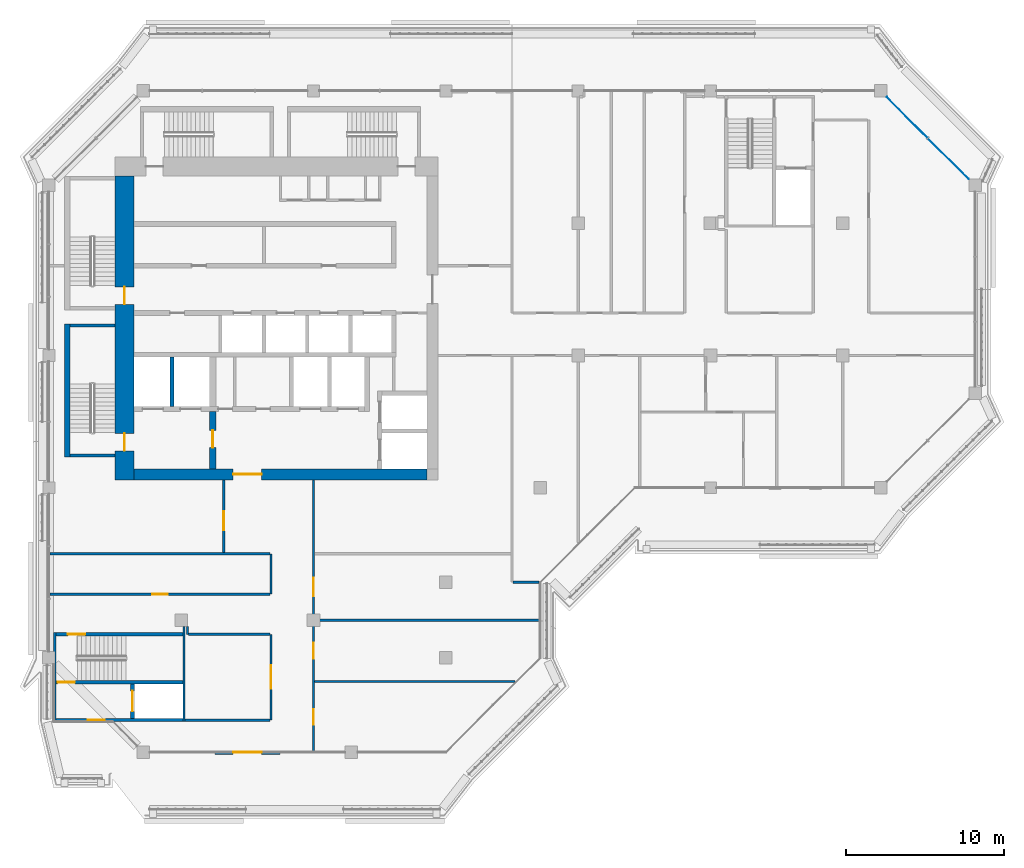
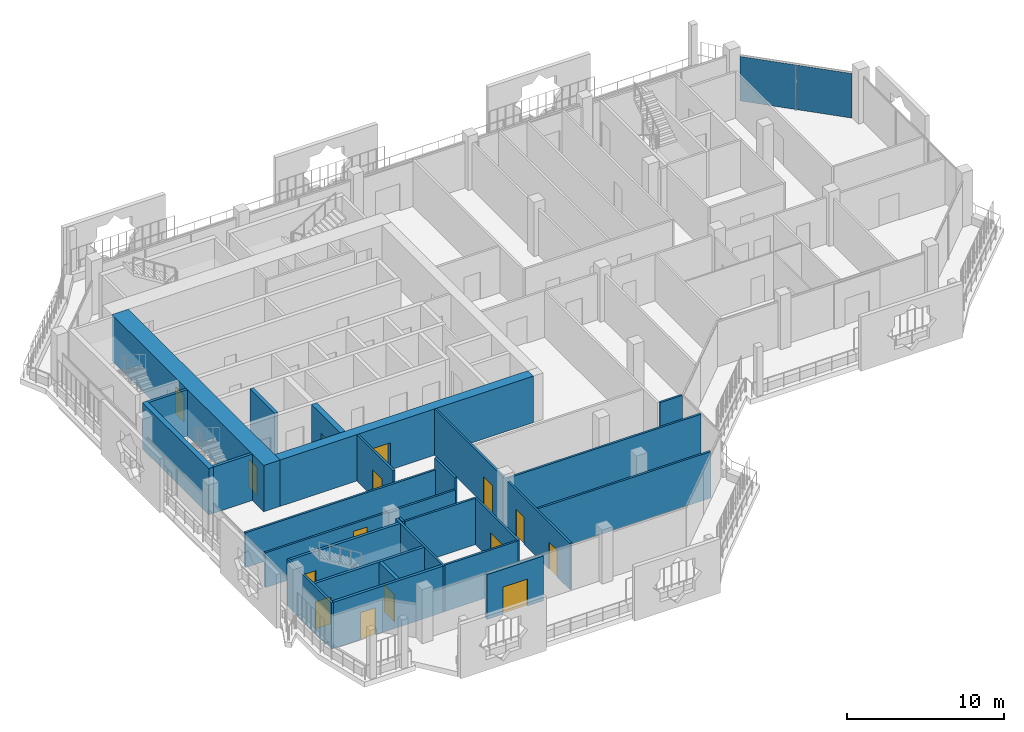
# One storey, part 10 of 21: 26 walls, 15 doors, 2 plates, 15 openings, 1 element without a shape of its own.
"""IFC4 building model written with IfcOpenShell, lengths in metres."""

from ifc_helpers import new_model, si_unit, direction, frame, frame_2d, origin, origin_2d, place, context, subcontext, project, spatial, rectangle, extrude, material, layer, layer_set, type_object, element, fill, aggregate, save


model = new_model("IFC4")

# Units and contexts
model_context = context("Model", 3, precision=1e-05, world=origin(), true_north=direction((0.0, 1.0)))
body_context = subcontext(model_context, "Body", "Model", "MODEL_VIEW")
ifc_project = project(units=[si_unit("LENGTHUNIT", "METRE"), si_unit("AREAUNIT", "SQUARE_METRE"), si_unit("VOLUMEUNIT", "CUBIC_METRE"), si_unit("PLANEANGLEUNIT", "RADIAN"), si_unit("MASSUNIT", "GRAM", prefix="KILO")], contexts=[model_context])

# Site, building, storey
site_placement = place(None, origin())
site = spatial("IfcSite", under=ifc_project, at=site_placement, CompositionType="ELEMENT")
building_placement = place(site_placement, origin())
building = spatial("IfcBuilding", under=site, at=building_placement, Name="Kawkab Arch Medical Tower", CompositionType="ELEMENT")
storey_placement = place(building_placement, frame((0.0, 0.0, 319.60009765625)))
storey = spatial("IfcBuildingStorey", under=building, at=storey_placement, Name="L74", CompositionType="ELEMENT", Elevation=319.60009765625)

# Curtain wall, plates
ifc_material_1 = material(Name="Bronze anodised aluminium curtain wall frame", Category="aluminium")
ifc_layer_1 = layer(ifc_material_1, 0.159912109375)
ifc_layer_set_1 = layer_set([ifc_layer_1], Name="Bronze anodised aluminium curtain wall frame")
curtain_wall_type = type_object("IfcCurtainWallType", Name="CW2 chamfer curtain wall", PredefinedType="NOTDEFINED", material=ifc_layer_set_1)
curtain_wall_placement = place(storey_placement, origin())
curtain_wall = element("IfcCurtainWall", 1, at=curtain_wall_placement, inside=storey, type_object=curtain_wall_type, Name="CW2 Chamfer curtain wall R14", PredefinedType="NOTDEFINED")
ifc_material_2 = material(Name="Tinted insulating glass, bronze low-e coating", Category="glass")
ifc_layer_2 = layer(ifc_material_2, 0.031982421875)
ifc_layer_set_2 = layer_set([ifc_layer_2], Name="Tinted insulating glass, bronze low-e coating")
plate_type = type_object("IfcPlateType", Name="CW2 glazing unit 32", PredefinedType="CURTAIN_PANEL", material=ifc_layer_set_2)
plate_1_placement = place(storey_placement, frame((57.110595703125, -4.310546875, 0.0), z_axis=(0.0, 0.0, 1.0), x_axis=(-0.707106781187, 0.707106781187, 0.0)))
plate_1 = element("IfcPlate", 2, at=plate_1_placement, type_object=plate_type, Name="CW2 glazing unit 1.1", PredefinedType="CURTAIN_PANEL", context=body_context, shape_type="SweptSolid", body=[
    extrude(rectangle(XDim=3.64697265625, YDim=0.031982421875, at=origin_2d()), origin(), (0.0, 0.0, 1.0), 3.4599609375),
])
plate_2_placement = place(storey_placement, frame((54.489501953125, -1.689453125, 0.0), z_axis=(0.0, 0.0, 1.0), x_axis=(-0.707106781187, 0.707106781187, 0.0)))
plate_2 = element("IfcPlate", 3, at=plate_2_placement, type_object=plate_type, Name="CW2 glazing unit 1.2", PredefinedType="CURTAIN_PANEL", context=body_context, shape_type="SweptSolid", body=[
    extrude(rectangle(XDim=3.64697265625, YDim=0.031982421875, at=origin_2d()), origin(), (0.0, 0.0, 1.0), 3.4599609375),
])
aggregate(curtain_wall, [plate_1, plate_2])

# Wall, openings, doors
ifc_material_3 = material(Name="Concrete C50/60", Category="concrete")
ifc_layer_3 = layer(ifc_material_3, 1.199951171875)
ifc_layer_set_3 = layer_set([ifc_layer_3], Name="Concrete C50/60")
wall_type_1 = type_object("IfcWallType", Name="Core ring wall 1200 C50/60", PredefinedType="SHEAR", material=ifc_layer_set_3)
wall_1_placement = place(storey_placement, frame((4.800048828125, -24.699951171875, 0.0), z_axis=(0.0, 0.0, 1.0), x_axis=(0.0, 1.0, 0.0)))
wall_1 = element("IfcWall", 4, at=wall_1_placement, inside=storey, type_object=wall_type_1, Name="L74 core wall", PredefinedType="SHEAR", context=body_context, shape_type="SweptSolid", body=[
    extrude(rectangle(XDim=19.300048828125, YDim=1.199951171875, at=frame_2d((9.64990234375, 0.0))), origin(), (0.0, 0.0, 1.0), 3.599853515625),
])
opening_1_placement = place(wall_1_placement, frame((11.14990234375, 0.0, 0.0)))
opening_1 = element("IfcOpeningElement", 5, at=opening_1_placement, cuts=wall_1, Name="Opening SD", PredefinedType="OPENING", context=body_context, shape_type="SweptSolid", body=[
    extrude(rectangle(XDim=1.10009765625, YDim=2.10009765625, at=frame_2d((0.550048828125, 1.050048828125))), frame((0.0, 0.60986328125, 0.0), z_axis=(0.0, -1.0, 0.0), x_axis=(1.0, 0.0, 0.0)), (0.0, 0.0, 1.0), 1.219970703125),
])
opening_2_placement = place(wall_1_placement, frame((1.85009765625, 0.0, 0.0)))
opening_2 = element("IfcOpeningElement", 6, at=opening_2_placement, cuts=wall_1, Name="Opening SD", PredefinedType="OPENING", context=body_context, shape_type="SweptSolid", body=[
    extrude(rectangle(XDim=1.10009765625, YDim=2.10009765625, at=frame_2d((0.550048828125, 1.050048828125))), frame((0.0, 0.60986328125, 0.0), z_axis=(0.0, -1.0, 0.0), x_axis=(1.0, 0.0, 0.0)), (0.0, 0.0, 1.0), 1.219970703125),
])
ifc_material_4 = material(Name="Hollow metal fire door leaf")
door_type_1 = type_object("IfcDoorType", Name="Exit stair door 1100", OperationType="SINGLE_SWING_LEFT", PredefinedType="DOOR", material=ifc_material_4)
door_1_placement = place(opening_1_placement, origin())
door_1 = element("IfcDoor", 7, at=door_1_placement, inside=storey, type_object=door_type_1, Name="L74 Exit stair ST1 door", OperationType="SINGLE_SWING_LEFT", OverallHeight=2.10009765625, OverallWidth=1.10009765625, PredefinedType="DOOR", context=body_context, shape_type="SweptSolid", body=[
    extrude(rectangle(XDim=1.10009765625, YDim=2.10009765625, at=frame_2d((0.550048828125, 1.050048828125))), frame((0.0, 0.02490234375, 0.0), z_axis=(0.0, -1.0, 0.0), x_axis=(1.0, 0.0, 0.0)), (0.0, 0.0, 1.0), 0.050048828125),
])
fill(opening_1, door_1)
door_2_placement = place(opening_2_placement, origin())
door_2 = element("IfcDoor", 8, at=door_2_placement, inside=storey, type_object=door_type_1, Name="L74 Exit stair ST2 door", OperationType="SINGLE_SWING_LEFT", OverallHeight=2.10009765625, OverallWidth=1.10009765625, PredefinedType="DOOR", context=body_context, shape_type="SweptSolid", body=[
    extrude(rectangle(XDim=1.10009765625, YDim=2.10009765625, at=frame_2d((0.550048828125, 1.050048828125))), frame((0.0, 0.02490234375, 0.0), z_axis=(0.0, -1.0, 0.0), x_axis=(1.0, 0.0, 0.0)), (0.0, 0.0, 1.0), 0.050048828125),
])
fill(opening_2, door_2)

# Wall, opening, door
ifc_material_5 = material(Name="Concrete C50/60", Category="concrete")
ifc_layer_4 = layer(ifc_material_5, 0.699951171875)
ifc_layer_set_4 = layer_set([ifc_layer_4], Name="Concrete C50/60")
wall_type_2 = type_object("IfcWallType", Name="Core ring wall 700 C50/60", PredefinedType="SHEAR", material=ifc_layer_set_4)
wall_2_placement = place(storey_placement, frame((5.39990234375, -24.35009765625, 0.0), z_axis=(0.0, 0.0, 1.0), x_axis=(1.0, 0.0, 0.0)))
wall_2 = element("IfcWall", 9, at=wall_2_placement, inside=storey, type_object=wall_type_2, Name="L74 core wall", PredefinedType="SHEAR", context=body_context, shape_type="SweptSolid", body=[
    extrude(rectangle(XDim=18.60009765625, YDim=0.699951171875, at=frame_2d((9.300048828125, 0.0))), origin(), (0.0, 0.0, 1.0), 3.599853515625),
])
opening_3_placement = place(wall_2_placement, frame((6.300048828125, 0.0, 0.0)))
opening_3 = element("IfcOpeningElement", 10, at=opening_3_placement, cuts=wall_2, Name="Opening PD", PredefinedType="OPENING", context=body_context, shape_type="SweptSolid", body=[
    extrude(rectangle(XDim=1.800048828125, YDim=2.10009765625, at=frame_2d((0.89990234375, 1.050048828125))), frame((0.0, 0.35986328125, 0.0), z_axis=(0.0, -1.0, 0.0), x_axis=(1.0, 0.0, 0.0)), (0.0, 0.0, 1.0), 0.719970703125),
])
ifc_material_6 = material(Name="Hollow metal fire door leaf")
door_type_2 = type_object("IfcDoorType", Name="Core entrance doors 1800", OperationType="DOUBLE_DOOR_SINGLE_SWING", PredefinedType="DOOR", material=ifc_material_6)
door_3_placement = place(opening_3_placement, origin())
door_3 = element("IfcDoor", 11, at=door_3_placement, inside=storey, type_object=door_type_2, Name="L74 South entrance doors", OperationType="DOUBLE_DOOR_SINGLE_SWING", OverallHeight=2.10009765625, OverallWidth=1.800048828125, PredefinedType="DOOR", context=body_context, shape_type="SweptSolid", body=[
    extrude(rectangle(XDim=1.800048828125, YDim=2.10009765625, at=frame_2d((0.89990234375, 1.050048828125))), frame((0.0, 0.02490234375, 0.0), z_axis=(0.0, -1.0, 0.0), x_axis=(1.0, 0.0, 0.0)), (0.0, 0.0, 1.0), 0.050048828125),
])
fill(opening_3, door_3)

# Wall
ifc_material_7 = material(Name="Concrete C60/75", Category="concrete")
ifc_layer_5 = layer(ifc_material_7, 0.25)
ifc_layer_set_5 = layer_set([ifc_layer_5], Name="Concrete C60/75")
wall_type_3 = type_object("IfcWallType", Name="Core shear wall 250 C60/75", PredefinedType="SHEAR", material=ifc_layer_set_5)
wall_3_placement = place(storey_placement, frame((7.800048828125, -20.050048828125, 0.0), z_axis=(0.0, 0.0, 1.0), x_axis=(0.0, 1.0, 0.0)))
element("IfcWall", 12, at=wall_3_placement, inside=storey, type_object=wall_type_3, Name="L74 core shear wall", PredefinedType="SHEAR", context=body_context, shape_type="SweptSolid", body=[
    extrude(rectangle(XDim=3.150146484375, YDim=0.25, at=frame_2d((1.5751953125, 0.0))), origin(), (0.0, 0.0, 1.0), 3.599853515625),
])

# Wall, opening, door
wall_4_placement = place(storey_placement, frame((5.300048828125, -39.85009765625, 0.0), z_axis=(0.0, 0.0, 1.0), x_axis=(0.0, 1.0, 0.0)))
wall_4 = element("IfcWall", 13, at=wall_4_placement, inside=storey, type_object=wall_type_3, Name="L74 core shear wall", PredefinedType="SHEAR", context=body_context, shape_type="SweptSolid", body=[
    extrude(rectangle(XDim=2.2001953125, YDim=0.25, at=frame_2d((1.10009765625, 0.0))), origin(), (0.0, 0.0, 1.0), 3.599853515625),
])
opening_4_placement = place(wall_4_placement, frame((0.449951171875, 0.0, 0.0)))
opening_4 = element("IfcOpeningElement", 14, at=opening_4_placement, cuts=wall_4, Name="Opening LD2", PredefinedType="OPENING", context=body_context, shape_type="SweptSolid", body=[
    extrude(rectangle(XDim=1.300048828125, YDim=2.10009765625, at=frame_2d((0.64990234375, 1.050048828125))), frame((0.0, 0.135009765625, 0.0), z_axis=(0.0, -1.0, 0.0), x_axis=(1.0, 0.0, 0.0)), (0.0, 0.0, 1.0), 0.27001953125),
])
ifc_material_8 = material(Name="Stainless steel lift door leaf", Category="steel")
door_type_3 = type_object("IfcDoorType", Name="Lift landing door 1300", OperationType="DOUBLE_DOOR_SLIDING", PredefinedType="DOOR", material=ifc_material_8)
door_4_placement = place(opening_4_placement, origin())
door_4 = element("IfcDoor", 15, at=door_4_placement, inside=storey, type_object=door_type_3, Name="L74 Lift landing door SV2", OperationType="DOUBLE_DOOR_SLIDING", OverallHeight=2.10009765625, OverallWidth=1.300048828125, PredefinedType="DOOR", context=body_context, shape_type="SweptSolid", body=[
    extrude(rectangle(XDim=1.300048828125, YDim=2.10009765625, at=frame_2d((0.64990234375, 1.050048828125))), frame((0.0, 0.02490234375, 0.0), z_axis=(0.0, -1.0, 0.0), x_axis=(1.0, 0.0, 0.0)), (0.0, 0.0, 1.0), 0.050048828125),
])
fill(opening_4, door_4)

ifc_material_9 = material(Name="Concrete C60/75", Category="concrete")
ifc_layer_6 = layer(ifc_material_9, 0.39990234375)
ifc_layer_set_6 = layer_set([ifc_layer_6], Name="Concrete C60/75")
wall_type_4 = type_object("IfcWallType", Name="Core shear wall 400 C60/75", PredefinedType="SHEAR", material=ifc_layer_set_6)
wall_5_placement = place(storey_placement, frame((10.39990234375, -24.0, 0.0), z_axis=(0.0, 0.0, 1.0), x_axis=(0.0, 1.0, 0.0)))
wall_5 = element("IfcWall", 16, at=wall_5_placement, inside=storey, type_object=wall_type_4, Name="L74 core shear wall", PredefinedType="SHEAR", context=body_context, shape_type="SweptSolid", body=[
    extrude(rectangle(XDim=3.64990234375, YDim=0.39990234375, at=frame_2d((1.824951171875, 0.0))), origin(), (0.0, 0.0, 1.0), 3.599853515625),
])
opening_5_placement = place(wall_5_placement, frame((1.35009765625, 0.0, 0.0)))
opening_5 = element("IfcOpeningElement", 17, at=opening_5_placement, cuts=wall_5, Name="Opening FD", PredefinedType="OPENING", context=body_context, shape_type="SweptSolid", body=[
    extrude(rectangle(XDim=1.10009765625, YDim=2.10009765625, at=frame_2d((0.550048828125, 1.050048828125))), frame((0.0, 0.2099609375, 0.0), z_axis=(0.0, -1.0, 0.0), x_axis=(1.0, 0.0, 0.0)), (0.0, 0.0, 1.0), 0.419921875),
])
ifc_material_10 = material(Name="Hollow metal fire door leaf")
door_type_4 = type_object("IfcDoorType", Name="Firefighting lobby door 1100", OperationType="SINGLE_SWING_LEFT", PredefinedType="DOOR", material=ifc_material_10)
door_5_placement = place(opening_5_placement, origin())
door_5 = element("IfcDoor", 18, at=door_5_placement, inside=storey, type_object=door_type_4, Name="L74 Firefighting lobby door", OperationType="SINGLE_SWING_LEFT", OverallHeight=2.10009765625, OverallWidth=1.10009765625, PredefinedType="DOOR", context=body_context, shape_type="SweptSolid", body=[
    extrude(rectangle(XDim=1.10009765625, YDim=2.10009765625, at=frame_2d((0.550048828125, 1.050048828125))), frame((0.0, 0.02490234375, 0.0), z_axis=(0.0, -1.0, 0.0), x_axis=(1.0, 0.0, 0.0)), (0.0, 0.0, 1.0), 0.050048828125),
])
fill(opening_5, door_5)

ifc_material_11 = material(Name="Bronze clad insulated wall panel")
ifc_layer_7 = layer(ifc_material_11, 0.25)
ifc_layer_set_7 = layer_set([ifc_layer_7], Name="Bronze clad insulated wall panel")
wall_type_5 = type_object("IfcWallType", Name="External wall bay 250", PredefinedType="SOLIDWALL", material=ifc_layer_set_7)
wall_6_placement = place(storey_placement, frame((10.533447265625, -42.0, 0.0), z_axis=(0.0, 0.0, 1.0), x_axis=(1.0, 0.0, 0.0)))
wall_6 = element("IfcWall", 19, at=wall_6_placement, inside=storey, type_object=wall_type_5, Name="External wall bay L74.R07.1.2", PredefinedType="SOLIDWALL", context=body_context, shape_type="SweptSolid", body=[
    extrude(rectangle(XDim=4.13330078125, YDim=0.25, at=frame_2d((2.066650390625, 0.0))), origin(), (0.0, 0.0, 1.0), 3.47998046875),
])
opening_6_placement = place(wall_6_placement, frame((1.166748046875, 0.0, 0.0)))
opening_6 = element("IfcOpeningElement", 20, at=opening_6_placement, cuts=wall_6, Name="Opening W69-701", PredefinedType="OPENING", context=body_context, shape_type="SweptSolid", body=[
    extrude(rectangle(XDim=1.800048828125, YDim=2.10009765625, at=frame_2d((0.89990234375, 1.050048828125))), frame((0.0, 0.135009765625, 0.0), z_axis=(0.0, -1.0, 0.0), x_axis=(1.0, 0.0, 0.0)), (0.0, 0.0, 1.0), 0.27001953125),
])
ifc_material_12 = material(Name="Bronze anodised aluminium door with tinted glass", Category="aluminium")
door_type_5 = type_object("IfcDoorType", Name="Double external door 1800 x 2100", OperationType="DOUBLE_DOOR_SINGLE_SWING", PredefinedType="DOOR", material=ifc_material_12)
door_6_placement = place(opening_6_placement, origin())
door_6 = element("IfcDoor", 21, at=door_6_placement, inside=storey, type_object=door_type_5, Name="External door L74.R07.1.2", OperationType="DOUBLE_DOOR_SINGLE_SWING", OverallHeight=2.10009765625, OverallWidth=1.800048828125, PredefinedType="DOOR", context=body_context, shape_type="SweptSolid", body=[
    extrude(rectangle(XDim=1.800048828125, YDim=2.10009765625, at=frame_2d((0.89990234375, 1.050048828125))), frame((0.0, 0.02490234375, 0.0), z_axis=(0.0, -1.0, 0.0), x_axis=(1.0, 0.0, 0.0)), (0.0, 0.0, 1.0), 0.050048828125),
])
fill(opening_6, door_6)

# Walls
ifc_material_13 = material(Name="Gypsum board partition on steel studs, mineral wool", Category="steel")
ifc_layer_8 = layer(ifc_material_13, 0.14990234375)
ifc_layer_set_8 = layer_set([ifc_layer_8], Name="Gypsum board partition on steel studs, mineral wool")
wall_type_6 = type_object("IfcWallType", Name="Partition 150", PredefinedType="PARTITIONING", material=ifc_layer_set_8)
wall_7_placement = place(storey_placement, frame((8.64990234375, -39.949951171875, 0.0), z_axis=(0.0, 0.0, 1.0), x_axis=(1.0, 0.0, 0.0)))
element("IfcWall", 22, at=wall_7_placement, inside=storey, type_object=wall_type_6, Name="Partition 150 w004", PredefinedType="PARTITIONING", context=body_context, shape_type="SweptSolid", body=[
    extrude(rectangle(XDim=5.375, YDim=0.14990234375, at=frame_2d((2.6875, 0.0))), origin(), (0.0, 0.0, 1.0), 3.599853515625),
])
wall_8_placement = place(storey_placement, frame((16.875, -37.5, 0.0), z_axis=(0.0, 0.0, 1.0), x_axis=(1.0, 0.0, 0.0)))
element("IfcWall", 23, at=wall_8_placement, inside=storey, type_object=wall_type_6, Name="Partition 150 w005", PredefinedType="PARTITIONING", context=body_context, shape_type="SweptSolid", body=[
    extrude(rectangle(XDim=12.7119140625, YDim=0.14990234375, at=frame_2d((6.35595703125, 0.0))), origin(), (0.0, 0.0, 1.0), 3.599853515625),
])
wall_9_placement = place(storey_placement, frame((8.875, -34.5, 0.0), z_axis=(0.0, 0.0, 1.0), x_axis=(1.0, 0.0, 0.0)))
element("IfcWall", 24, at=wall_9_placement, inside=storey, type_object=wall_type_6, Name="Partition 150 w006", PredefinedType="PARTITIONING", context=body_context, shape_type="SweptSolid", body=[
    extrude(rectangle(XDim=5.14990234375, YDim=0.14990234375, at=frame_2d((2.574951171875, 0.0))), origin(), (0.0, 0.0, 1.0), 3.599853515625),
])
wall_10_placement = place(storey_placement, frame((16.875, -33.60009765625, 0.0), z_axis=(0.0, 0.0, 1.0), x_axis=(1.0, 0.0, 0.0)))
element("IfcWall", 25, at=wall_10_placement, inside=storey, type_object=wall_type_6, Name="Partition 150 w007", PredefinedType="PARTITIONING", context=body_context, shape_type="SweptSolid", body=[
    extrude(rectangle(XDim=14.2451171875, YDim=0.14990234375, at=frame_2d((7.12255859375, 0.0))), origin(), (0.0, 0.0, 1.0), 3.599853515625),
])

# Wall, opening, door
wall_11_placement = place(storey_placement, frame((0.080078125, -31.95703125, 0.0), z_axis=(0.0, 0.0, 1.0), x_axis=(1.0, 0.0, 0.0)))
wall_11 = element("IfcWall", 26, at=wall_11_placement, inside=storey, type_object=wall_type_6, Name="Partition 150 w008", PredefinedType="PARTITIONING", context=body_context, shape_type="SweptSolid", body=[
    extrude(rectangle(XDim=13.94482421875, YDim=0.14990234375, at=frame_2d((6.972412109375, 0.0))), origin(), (0.0, 0.0, 1.0), 2.699951171875),
])
opening_7_placement = place(wall_11_placement, frame((6.469970703125, 0.0, 0.0)))
opening_7 = element("IfcOpeningElement", 27, at=opening_7_placement, cuts=wall_11, Name="Opening W69-014", PredefinedType="OPENING", context=body_context, shape_type="SweptSolid", body=[
    extrude(rectangle(XDim=1.0, YDim=2.10009765625, at=frame_2d((0.5, 1.050048828125))), frame((0.0, 0.0849609375, 0.0), z_axis=(0.0, -1.0, 0.0), x_axis=(1.0, 0.0, 0.0)), (0.0, 0.0, 1.0), 0.169921875),
])
ifc_material_14 = material(Name="Hollow metal door leaf")
door_type_6 = type_object("IfcDoorType", Name="Single door 1000x2100 FD30S", OperationType="NOTDEFINED", PredefinedType="DOOR", material=ifc_material_14)
door_7_placement = place(opening_7_placement, origin())
door_7 = element("IfcDoor", 28, at=door_7_placement, inside=storey, type_object=door_type_6, Name="Door W69-014", OperationType="SINGLE_SWING_LEFT", OverallHeight=2.10009765625, OverallWidth=1.0, PredefinedType="DOOR", context=body_context, shape_type="SweptSolid", body=[
    extrude(rectangle(XDim=1.0, YDim=2.10009765625, at=frame_2d((0.5, 1.050048828125))), frame((0.0, 0.02490234375, 0.0), z_axis=(0.0, -1.0, 0.0), x_axis=(1.0, 0.0, 0.0)), (0.0, 0.0, 1.0), 0.050048828125),
])
fill(opening_7, door_7)

# Walls
wall_12_placement = place(storey_placement, frame((29.47705078125, -31.199951171875, 0.0), z_axis=(0.0, 0.0, 1.0), x_axis=(1.0, 0.0, 0.0)))
element("IfcWall", 29, at=wall_12_placement, inside=storey, type_object=wall_type_6, Name="Partition 150 w009", PredefinedType="PARTITIONING", context=body_context, shape_type="SweptSolid", body=[
    extrude(rectangle(XDim=1.64306640625, YDim=0.14990234375, at=frame_2d((0.821533203125, 0.0))), origin(), (0.0, 0.0, 1.0), 3.599853515625),
])
wall_13_placement = place(storey_placement, frame((0.080078125, -29.39990234375, 0.0), z_axis=(0.0, 0.0, 1.0), x_axis=(1.0, 0.0, 0.0)))
element("IfcWall", 30, at=wall_13_placement, inside=storey, type_object=wall_type_6, Name="Partition 150 w010", PredefinedType="PARTITIONING", context=body_context, shape_type="SweptSolid", body=[
    extrude(rectangle(XDim=13.94482421875, YDim=0.14990234375, at=frame_2d((6.972412109375, 0.0))), origin(), (0.0, 0.0, 1.0), 2.699951171875),
])
wall_14_placement = place(storey_placement, frame((8.800048828125, -34.5, 0.0), z_axis=(0.0, 0.0, 1.0), x_axis=(0.0, 1.0, 0.0)))
element("IfcWall", 31, at=wall_14_placement, inside=storey, type_object=wall_type_6, Name="Partition 150 w025", PredefinedType="PARTITIONING", context=body_context, shape_type="SweptSolid", body=[
    extrude(rectangle(XDim=0.4990234375, YDim=0.14990234375, at=frame_2d((0.24951171875, 0.0))), origin(), (0.0, 0.0, 1.0), 3.599853515625),
])

# Wall, opening, door
wall_15_placement = place(storey_placement, frame((11.10009765625, -29.324951171875, 0.0), z_axis=(0.0, 0.0, 1.0), x_axis=(0.0, 1.0, 0.0)))
wall_15 = element("IfcWall", 32, at=wall_15_placement, inside=storey, type_object=wall_type_6, Name="Partition 150 w026", PredefinedType="PARTITIONING", context=body_context, shape_type="SweptSolid", body=[
    extrude(rectangle(XDim=4.625, YDim=0.14990234375, at=frame_2d((2.3125, 0.0))), origin(), (0.0, 0.0, 1.0), 3.599853515625),
])
opening_8_placement = place(wall_15_placement, frame((1.425048828125, 0.0, 0.0)))
opening_8 = element("IfcOpeningElement", 33, at=opening_8_placement, cuts=wall_15, Name="Opening W69-022", PredefinedType="OPENING", context=body_context, shape_type="SweptSolid", body=[
    extrude(rectangle(XDim=1.199951171875, YDim=2.10009765625, at=frame_2d((0.60009765625, 1.050048828125))), frame((0.0, 0.0849609375, 0.0), z_axis=(0.0, -1.0, 0.0), x_axis=(1.0, 0.0, 0.0)), (0.0, 0.0, 1.0), 0.169921875),
])
ifc_material_15 = material(Name="Hollow metal door leaf")
door_type_7 = type_object("IfcDoorType", Name="Single door 1200x2100 FD30S", OperationType="NOTDEFINED", PredefinedType="DOOR", material=ifc_material_15)
door_8_placement = place(opening_8_placement, origin())
door_8 = element("IfcDoor", 34, at=door_8_placement, inside=storey, type_object=door_type_7, Name="Door W69-022", OperationType="SINGLE_SWING_RIGHT", OverallHeight=2.10009765625, OverallWidth=1.199951171875, PredefinedType="DOOR", context=body_context, shape_type="SweptSolid", body=[
    extrude(rectangle(XDim=1.199951171875, YDim=2.10009765625, at=frame_2d((0.60009765625, 1.050048828125))), frame((0.0, 0.02490234375, 0.0), z_axis=(0.0, -1.0, 0.0), x_axis=(1.0, 0.0, 0.0)), (0.0, 0.0, 1.0), 0.050048828125),
])
fill(opening_8, door_8)

wall_16_placement = place(storey_placement, frame((14.10009765625, -39.949951171875, 0.0), z_axis=(0.0, 0.0, 1.0), x_axis=(0.0, 1.0, 0.0)))
wall_16 = element("IfcWall", 35, at=wall_16_placement, inside=storey, type_object=wall_type_6, Name="Partition 150 w027", PredefinedType="PARTITIONING", context=body_context, shape_type="SweptSolid", body=[
    extrude(rectangle(XDim=5.449951171875, YDim=0.14990234375, at=frame_2d((2.72509765625, 0.0))), origin(), (0.0, 0.0, 1.0), 3.599853515625),
])
opening_9_placement = place(wall_16_placement, frame((1.97509765625, 0.0, 0.0)))
opening_9 = element("IfcOpeningElement", 36, at=opening_9_placement, cuts=wall_16, Name="Opening W69-004", PredefinedType="OPENING", context=body_context, shape_type="SweptSolid", body=[
    extrude(rectangle(XDim=1.5, YDim=2.10009765625, at=frame_2d((0.75, 1.050048828125))), frame((0.0, 0.0849609375, 0.0), z_axis=(0.0, -1.0, 0.0), x_axis=(1.0, 0.0, 0.0)), (0.0, 0.0, 1.0), 0.169921875),
])
ifc_material_16 = material(Name="Hollow metal door leaf")
door_type_8 = type_object("IfcDoorType", Name="Double door 1500x2100 FD30S", OperationType="NOTDEFINED", PredefinedType="DOOR", material=ifc_material_16)
door_9_placement = place(opening_9_placement, origin())
door_9 = element("IfcDoor", 37, at=door_9_placement, inside=storey, type_object=door_type_8, Name="Door W69-004", OperationType="DOUBLE_DOOR_SINGLE_SWING", OverallHeight=2.10009765625, OverallWidth=1.5, PredefinedType="DOOR", context=body_context, shape_type="SweptSolid", body=[
    extrude(rectangle(XDim=1.5, YDim=2.10009765625, at=frame_2d((0.75, 1.050048828125))), frame((0.0, 0.02490234375, 0.0), z_axis=(0.0, -1.0, 0.0), x_axis=(1.0, 0.0, 0.0)), (0.0, 0.0, 1.0), 0.050048828125),
])
fill(opening_9, door_9)

# Wall
wall_17_placement = place(storey_placement, frame((14.10009765625, -31.95703125, 0.0), z_axis=(0.0, 0.0, 1.0), x_axis=(0.0, 1.0, 0.0)))
element("IfcWall", 38, at=wall_17_placement, inside=storey, type_object=wall_type_6, Name="Partition 150 w028", PredefinedType="PARTITIONING", context=body_context, shape_type="SweptSolid", body=[
    extrude(rectangle(XDim=2.55712890625, YDim=0.14990234375, at=frame_2d((1.278564453125, 0.0))), origin(), (0.0, 0.0, 1.0), 3.599853515625),
])

# Wall, openings, doors
wall_18_placement = place(storey_placement, frame((16.800048828125, -41.919921875, 0.0), z_axis=(0.0, 0.0, 1.0), x_axis=(0.0, 1.0, 0.0)))
wall_18 = element("IfcWall", 39, at=wall_18_placement, inside=storey, type_object=wall_type_6, Name="Partition 150 w029", PredefinedType="PARTITIONING", context=body_context, shape_type="SweptSolid", body=[
    extrude(rectangle(XDim=17.219970703125, YDim=0.14990234375, at=frame_2d((8.60986328125, 0.0))), origin(), (0.0, 0.0, 1.0), 3.599853515625),
])
opening_10_placement = place(wall_18_placement, frame((9.820068359375, 0.0, 0.0)))
opening_10 = element("IfcOpeningElement", 40, at=opening_10_placement, cuts=wall_18, Name="Opening W69-023", PredefinedType="OPENING", context=body_context, shape_type="SweptSolid", body=[
    extrude(rectangle(XDim=1.199951171875, YDim=2.10009765625, at=frame_2d((0.60009765625, 1.050048828125))), frame((0.0, 0.0849609375, 0.0), z_axis=(0.0, -1.0, 0.0), x_axis=(1.0, 0.0, 0.0)), (0.0, 0.0, 1.0), 0.169921875),
])
opening_11_placement = place(wall_18_placement, frame((5.8701171875, 0.0, 0.0)))
opening_11 = element("IfcOpeningElement", 41, at=opening_11_placement, cuts=wall_18, Name="Opening W69-015", PredefinedType="OPENING", context=body_context, shape_type="SweptSolid", body=[
    extrude(rectangle(XDim=1.0, YDim=2.10009765625, at=frame_2d((0.5, 1.050048828125))), frame((0.0, 0.0849609375, 0.0), z_axis=(0.0, -1.0, 0.0), x_axis=(1.0, 0.0, 0.0)), (0.0, 0.0, 1.0), 0.169921875),
])
opening_12_placement = place(wall_18_placement, frame((1.669921875, 0.0, 0.0)))
opening_12 = element("IfcOpeningElement", 42, at=opening_12_placement, cuts=wall_18, Name="Opening W69-016", PredefinedType="OPENING", context=body_context, shape_type="SweptSolid", body=[
    extrude(rectangle(XDim=1.0, YDim=2.10009765625, at=frame_2d((0.5, 1.050048828125))), frame((0.0, 0.0849609375, 0.0), z_axis=(0.0, -1.0, 0.0), x_axis=(1.0, 0.0, 0.0)), (0.0, 0.0, 1.0), 0.169921875),
])
door_10_placement = place(opening_11_placement, origin())
door_10 = element("IfcDoor", 43, at=door_10_placement, inside=storey, type_object=door_type_6, Name="Door W69-015", OperationType="SINGLE_SWING_RIGHT", OverallHeight=2.10009765625, OverallWidth=1.0, PredefinedType="DOOR", context=body_context, shape_type="SweptSolid", body=[
    extrude(rectangle(XDim=1.0, YDim=2.10009765625, at=frame_2d((0.5, 1.050048828125))), frame((0.0, 0.02490234375, 0.0), z_axis=(0.0, -1.0, 0.0), x_axis=(1.0, 0.0, 0.0)), (0.0, 0.0, 1.0), 0.050048828125),
])
fill(opening_11, door_10)
door_11_placement = place(opening_12_placement, origin())
door_11 = element("IfcDoor", 44, at=door_11_placement, inside=storey, type_object=door_type_6, Name="Door W69-016", OperationType="SINGLE_SWING_RIGHT", OverallHeight=2.10009765625, OverallWidth=1.0, PredefinedType="DOOR", context=body_context, shape_type="SweptSolid", body=[
    extrude(rectangle(XDim=1.0, YDim=2.10009765625, at=frame_2d((0.5, 1.050048828125))), frame((0.0, 0.02490234375, 0.0), z_axis=(0.0, -1.0, 0.0), x_axis=(1.0, 0.0, 0.0)), (0.0, 0.0, 1.0), 0.050048828125),
])
fill(opening_12, door_11)
door_12_placement = place(opening_10_placement, origin())
door_12 = element("IfcDoor", 45, at=door_12_placement, inside=storey, type_object=door_type_7, Name="Door W69-023", OperationType="SINGLE_SWING_LEFT", OverallHeight=2.10009765625, OverallWidth=1.199951171875, PredefinedType="DOOR", context=body_context, shape_type="SweptSolid", body=[
    extrude(rectangle(XDim=1.199951171875, YDim=2.10009765625, at=frame_2d((0.60009765625, 1.050048828125))), frame((0.0, 0.02490234375, 0.0), z_axis=(0.0, -1.0, 0.0), x_axis=(1.0, 0.0, 0.0)), (0.0, 0.0, 1.0), 0.050048828125),
])
fill(opening_10, door_12)

# Walls
ifc_material_17 = material(Name="Concrete C50/60", Category="concrete")
ifc_layer_9 = layer(ifc_material_17, 0.14990234375)
ifc_layer_set_9 = layer_set([ifc_layer_9], Name="Concrete C50/60")
wall_type_7 = type_object("IfcWallType", Name="Stair enclosure wall 150 C50/60", PredefinedType="SHEAR", material=ifc_layer_set_9)
wall_19_placement = place(storey_placement, frame((0.375, -40.050048828125, 0.0), z_axis=(0.0, 0.0, 1.0), x_axis=(0.0, 1.0, 0.0)))
element("IfcWall", 46, at=wall_19_placement, inside=storey, type_object=wall_type_7, Name="L74 stair enclosure wall", PredefinedType="SHEAR", context=body_context, shape_type="SweptSolid", body=[
    extrude(rectangle(XDim=5.650146484375, YDim=0.14990234375, at=frame_2d((2.8251953125, 0.0))), origin(), (0.0, 0.0, 1.0), 3.599853515625),
])
wall_20_placement = place(storey_placement, frame((8.574951171875, -40.050048828125, 0.0), z_axis=(0.0, 0.0, 1.0), x_axis=(0.0, 1.0, 0.0)))
element("IfcWall", 47, at=wall_20_placement, inside=storey, type_object=wall_type_7, Name="L74 stair enclosure wall", PredefinedType="SHEAR", context=body_context, shape_type="SweptSolid", body=[
    extrude(rectangle(XDim=6.050048828125, YDim=0.14990234375, at=frame_2d((3.02490234375, 0.0))), origin(), (0.0, 0.0, 1.0), 3.599853515625),
])
ifc_material_18 = material(Name="Concrete C50/60", Category="concrete")
ifc_layer_10 = layer(ifc_material_18, 0.199951171875)
ifc_layer_set_10 = layer_set([ifc_layer_10], Name="Concrete C50/60")
wall_type_8 = type_object("IfcWallType", Name="Stair enclosure wall 200 C50/60", PredefinedType="SHEAR", material=ifc_layer_set_10)
for number, where, z_axis, x_axis, name in (
    (48, (1.35009765625, -14.89990234375, 0.0), (0.0, 0.0, 1.0), (1.0, 0.0, 0.0), "L74 stair enclosure wall"),
    (49, (1.35009765625, -23.14990234375, 0.0), (0.0, 0.0, 1.0), (1.0, 0.0, 0.0), "L74 stair enclosure wall"),
):
    element("IfcWall", number, at=place(storey_placement, frame(where, z_axis=z_axis, x_axis=x_axis)), inside=storey, type_object=wall_type_8, Name=name, PredefinedType="SHEAR", context=body_context, shape_type="SweptSolid", body=[
        extrude(rectangle(XDim=2.849853515625, YDim=0.199951171875, at=frame_2d((1.4248046875, 0.0))), origin(), (0.0, 0.0, 1.0), 3.599853515625),
    ])

# Wall, opening, door
wall_21_placement = place(storey_placement, frame((0.449951171875, -34.5, 0.0), z_axis=(0.0, 0.0, 1.0), x_axis=(1.0, 0.0, 0.0)))
wall_21 = element("IfcWall", 50, at=wall_21_placement, inside=storey, type_object=wall_type_8, Name="L74 stair enclosure wall", PredefinedType="SHEAR", context=body_context, shape_type="SweptSolid", body=[
    extrude(rectangle(XDim=8.050048828125, YDim=0.199951171875, at=frame_2d((4.02490234375, 0.0))), origin(), (0.0, 0.0, 1.0), 3.599853515625),
])
opening_13_placement = place(wall_21_placement, frame((0.75, 0.0, 0.0)))
opening_13 = element("IfcOpeningElement", 51, at=opening_13_placement, cuts=wall_21, Name="Opening SD", PredefinedType="OPENING", context=body_context, shape_type="SweptSolid", body=[
    extrude(rectangle(XDim=1.10009765625, YDim=2.10009765625, at=frame_2d((0.550048828125, 1.050048828125))), frame((0.0, 0.10986328125, 0.0), z_axis=(0.0, -1.0, 0.0), x_axis=(1.0, 0.0, 0.0)), (0.0, 0.0, 1.0), 0.219970703125),
])
door_13_placement = place(opening_13_placement, origin())
door_13 = element("IfcDoor", 52, at=door_13_placement, inside=storey, type_object=door_type_1, Name="L74 Exit stair ST6 door", OperationType="SINGLE_SWING_LEFT", OverallHeight=2.10009765625, OverallWidth=1.10009765625, PredefinedType="DOOR", context=body_context, shape_type="SweptSolid", body=[
    extrude(rectangle(XDim=1.10009765625, YDim=2.10009765625, at=frame_2d((0.550048828125, 1.050048828125))), frame((0.0, 0.02490234375, 0.0), z_axis=(0.0, -1.0, 0.0), x_axis=(1.0, 0.0, 0.0)), (0.0, 0.0, 1.0), 0.050048828125),
])
fill(opening_13, door_13)

wall_22_placement = place(storey_placement, frame((0.449951171875, -37.550048828125, 0.0), z_axis=(0.0, 0.0, 1.0), x_axis=(1.0, 0.0, 0.0)))
wall_22 = element("IfcWall", 53, at=wall_22_placement, inside=storey, type_object=wall_type_8, Name="L74 stair enclosure wall", PredefinedType="SHEAR", context=body_context, shape_type="SweptSolid", body=[
    extrude(rectangle(XDim=8.050048828125, YDim=0.199951171875, at=frame_2d((4.02490234375, 0.0))), origin(), (0.0, 0.0, 1.0), 3.599853515625),
])
opening_14_placement = place(wall_22_placement, frame((0.10009765625, 0.0, 0.0)))
opening_14 = element("IfcOpeningElement", 54, at=opening_14_placement, cuts=wall_22, Name="Opening SD", PredefinedType="OPENING", context=body_context, shape_type="SweptSolid", body=[
    extrude(rectangle(XDim=1.10009765625, YDim=2.10009765625, at=frame_2d((0.550048828125, 1.050048828125))), frame((0.0, 0.10986328125, 0.0), z_axis=(0.0, -1.0, 0.0), x_axis=(1.0, 0.0, 0.0)), (0.0, 0.0, 1.0), 0.219970703125),
])
door_14_placement = place(opening_14_placement, frame((1.10009765625, 0.0, 0.0), z_axis=(0.0, 0.0, 1.0), x_axis=(-1.0, 0.0, 0.0)))
door_14 = element("IfcDoor", 55, at=door_14_placement, inside=storey, type_object=door_type_1, Name="L74 Exit stair ST6 lobby door", OperationType="SINGLE_SWING_LEFT", OverallHeight=2.10009765625, OverallWidth=1.10009765625, PredefinedType="DOOR", context=body_context, shape_type="SweptSolid", body=[
    extrude(rectangle(XDim=1.10009765625, YDim=2.10009765625, at=frame_2d((0.550048828125, 1.050048828125))), frame((0.0, 0.02490234375, 0.0), z_axis=(0.0, -1.0, 0.0), x_axis=(1.0, 0.0, 0.0)), (0.0, 0.0, 1.0), 0.050048828125),
])
fill(opening_14, door_14)

wall_23_placement = place(storey_placement, frame((0.449951171875, -39.949951171875, 0.0), z_axis=(0.0, 0.0, 1.0), x_axis=(1.0, 0.0, 0.0)))
wall_23 = element("IfcWall", 56, at=wall_23_placement, inside=storey, type_object=wall_type_8, Name="L74 stair enclosure wall", PredefinedType="SHEAR", context=body_context, shape_type="SweptSolid", body=[
    extrude(rectangle(XDim=8.050048828125, YDim=0.199951171875, at=frame_2d((4.02490234375, 0.0))), origin(), (0.0, 0.0, 1.0), 3.599853515625),
])
opening_15_placement = place(wall_23_placement, frame((2.0, 0.0, 0.0)))
opening_15 = element("IfcOpeningElement", 57, at=opening_15_placement, cuts=wall_23, Name="Opening FD", PredefinedType="OPENING", context=body_context, shape_type="SweptSolid", body=[
    extrude(rectangle(XDim=1.10009765625, YDim=2.10009765625, at=frame_2d((0.550048828125, 1.050048828125))), frame((0.0, 0.10986328125, 0.0), z_axis=(0.0, -1.0, 0.0), x_axis=(1.0, 0.0, 0.0)), (0.0, 0.0, 1.0), 0.219970703125),
])
door_15_placement = place(opening_15_placement, origin())
door_15 = element("IfcDoor", 58, at=door_15_placement, inside=storey, type_object=door_type_4, Name="L74 Service lift lobby door SV2", OperationType="SINGLE_SWING_LEFT", OverallHeight=2.10009765625, OverallWidth=1.10009765625, PredefinedType="DOOR", context=body_context, shape_type="SweptSolid", body=[
    extrude(rectangle(XDim=1.10009765625, YDim=2.10009765625, at=frame_2d((0.550048828125, 1.050048828125))), frame((0.0, 0.02490234375, 0.0), z_axis=(0.0, -1.0, 0.0), x_axis=(1.0, 0.0, 0.0)), (0.0, 0.0, 1.0), 0.050048828125),
])
fill(opening_15, door_15)

# Wall
ifc_material_19 = material(Name="Concrete C50/60", Category="concrete")
ifc_layer_11 = layer(ifc_material_19, 0.35009765625)
ifc_layer_set_11 = layer_set([ifc_layer_11], Name="Concrete C50/60")
wall_type_9 = type_object("IfcWallType", Name="Stair enclosure wall 350 C50/60", PredefinedType="SHEAR", material=ifc_layer_set_11)
wall_24_placement = place(storey_placement, frame((1.175048828125, -23.25, 0.0), z_axis=(0.0, 0.0, 1.0), x_axis=(0.0, 1.0, 0.0)))
element("IfcWall", 59, at=wall_24_placement, inside=storey, type_object=wall_type_9, Name="L74 stair enclosure wall", PredefinedType="SHEAR", context=body_context, shape_type="SweptSolid", body=[
    extrude(rectangle(XDim=8.449951171875, YDim=0.35009765625, at=frame_2d((4.22509765625, 0.0))), origin(), (0.0, 0.0, 1.0), 3.599853515625),
])

save(model, "model.ifc")
